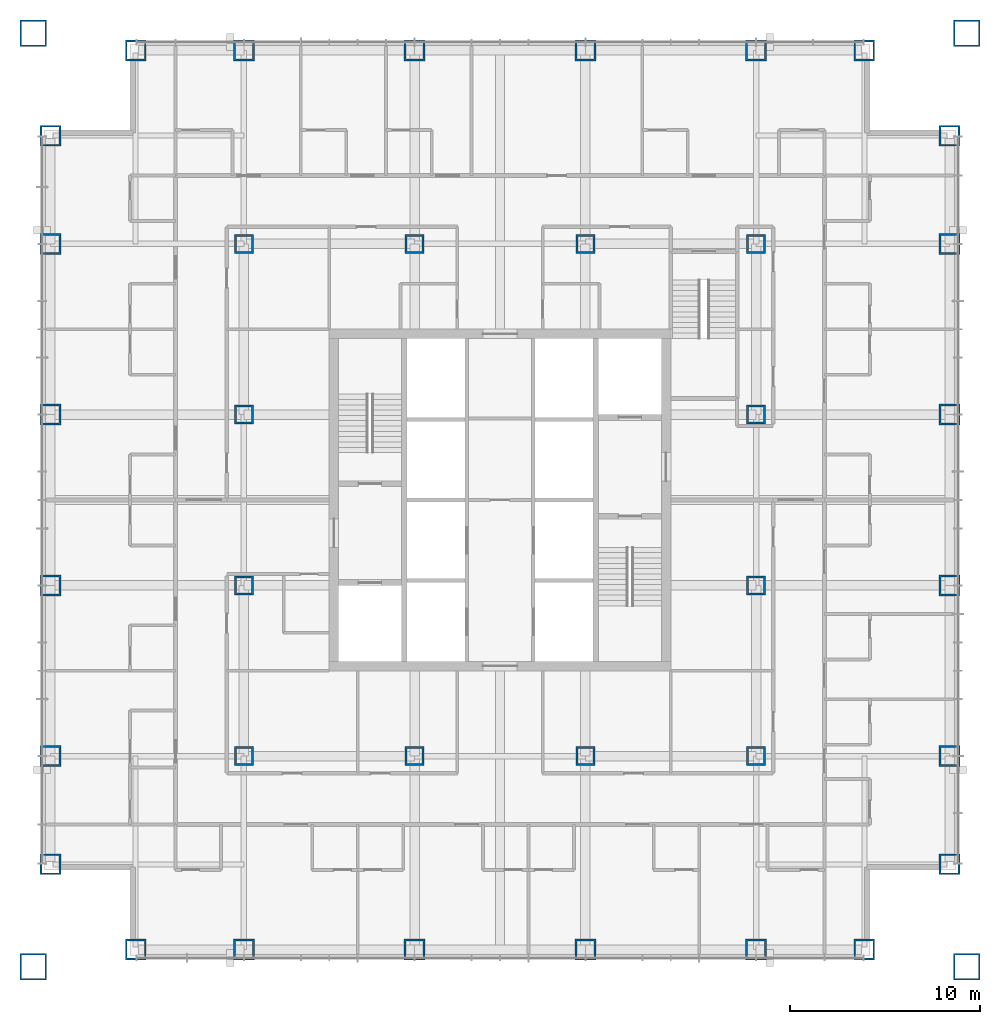
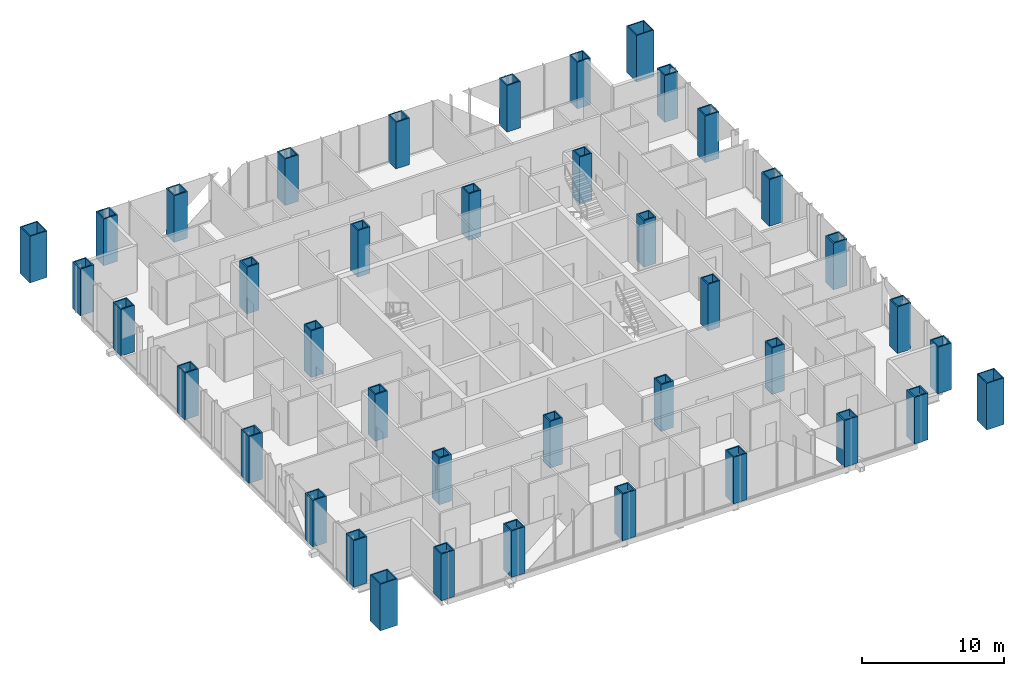
# One storey, part 1 of 16: 40 columns.
"""IFC4 building model written with IfcOpenShell, lengths in metres."""

from ifc_helpers import new_model, si_unit, direction, frame, origin, origin_2d, place, context, subcontext, project, spatial, hollow_rectangle, extrude, material, material_profile, profile_set, type_object, element, save


model = new_model("IFC4")

# Units and contexts
model_context = context("Model", 3, precision=1e-05, world=origin(), true_north=direction((0.0, 1.0)))
body_context = subcontext(model_context, "Body", "Model", "MODEL_VIEW")
ifc_project = project(units=[si_unit("LENGTHUNIT", "METRE"), si_unit("AREAUNIT", "SQUARE_METRE"), si_unit("VOLUMEUNIT", "CUBIC_METRE"), si_unit("PLANEANGLEUNIT", "RADIAN"), si_unit("MASSUNIT", "GRAM", prefix="KILO")], contexts=[model_context])

# Site, building, storey
site_placement = place(None, origin())
site = spatial("IfcSite", under=ifc_project, at=site_placement, CompositionType="ELEMENT")
building_placement = place(site_placement, origin())
building = spatial("IfcBuilding", under=site, at=building_placement, Name="Malebo Sky Hospital", CompositionType="ELEMENT")
storey_placement = place(building_placement, frame((0.0, 0.0, 108.0)))
storey = spatial("IfcBuildingStorey", under=building, at=storey_placement, Name="L25", CompositionType="ELEMENT", Elevation=108.0)

# Columns
ifc_material = material(Name="Steel S460", Category="steel")
ifc_material_profile_1 = material_profile(ifc_material, hollow_rectangle(XDim=1.0, YDim=1.0, WallThickness=0.10009765625, at=origin_2d()), Name="BOX 1000x1000x100")
ifc_profile_set_1 = profile_set([ifc_material_profile_1], Name="Steel S460")
column_type_1 = type_object("IfcColumnType", Name="INNER COLUMN BOX 1000x1000x100", PredefinedType="COLUMN", material=ifc_profile_set_1)
for number, where, z_axis, x_axis, name in (
    (1, (46.5, 48.5, 0.0), (0.0, 0.0, 1.0), (1.0, 0.0, 0.0), "Column IC9 L25"),
    (2, (73.5, 48.5, 0.0), (0.0, 0.0, 1.0), (1.0, 0.0, 0.0), "Column IC9 L25"),
    (3, (73.5, 75.5, 0.0), (0.0, 0.0, 1.0), (1.0, 0.0, 0.0), "Column IC9 L25"),
    (4, (46.5, 75.5, 0.0), (0.0, 0.0, 1.0), (1.0, 0.0, 0.0), "Column IC9 L25"),
    (5, (55.5, 48.5, 0.0), (0.0, 0.0, 1.0), (1.0, 0.0, 0.0), "Column IC9 L25"),
    (6, (64.5, 48.5, 0.0), (0.0, 0.0, 1.0), (1.0, 0.0, 0.0), "Column IC9 L25"),
    (7, (55.5, 75.5, 0.0), (0.0, 0.0, 1.0), (1.0, 0.0, 0.0), "Column IC9 L25"),
    (8, (64.5, 75.5, 0.0), (0.0, 0.0, 1.0), (1.0, 0.0, 0.0), "Column IC9 L25"),
    (9, (46.5, 57.5, 0.0), (0.0, 0.0, 1.0), (1.0, 0.0, 0.0), "Column IC9 L25"),
    (10, (46.5, 66.5, 0.0), (0.0, 0.0, 1.0), (1.0, 0.0, 0.0), "Column IC9 L25"),
    (11, (73.5, 57.5, 0.0), (0.0, 0.0, 1.0), (1.0, 0.0, 0.0), "Column IC9 L25"),
    (12, (73.5, 66.5, 0.0), (0.0, 0.0, 1.0), (1.0, 0.0, 0.0), "Column IC9 L25"),
):
    element("IfcColumn", number, at=place(storey_placement, frame(where, z_axis=z_axis, x_axis=x_axis)), inside=storey, type_object=column_type_1, Name=name, PredefinedType="COLUMN", context=body_context, shape_type="SweptSolid", body=[
        extrude(hollow_rectangle(XDim=1.0, YDim=1.0, WallThickness=0.10009765625, at=origin_2d()), origin(), (0.0, 0.0, 1.0), 4.0),
    ])
ifc_material_profile_2 = material_profile(ifc_material, hollow_rectangle(XDim=1.39990234375, YDim=1.39990234375, WallThickness=0.080078125, at=origin_2d()), Name="BOX 1400x1400x80")
ifc_profile_set_2 = profile_set([ifc_material_profile_2], Name="Steel S460")
column_type_2 = type_object("IfcColumnType", Name="MEGA COLUMN BOX 1400x1400x80", PredefinedType="COLUMN", material=ifc_profile_set_2)
for number, where, z_axis, x_axis, name in (
    (13, (35.39990234375, 37.39990234375, 0.0), (0.0, 0.0, 1.0), (1.0, 0.0, 0.0), "Mega column SW L25"),
    (14, (84.60009765625, 37.39990234375, 0.0), (0.0, 0.0, 1.0), (1.0, 0.0, 0.0), "Mega column SE L25"),
    (15, (84.60009765625, 86.60009765625, 0.0), (0.0, 0.0, 1.0), (1.0, 0.0, 0.0), "Mega column NE L25"),
    (16, (35.39990234375, 86.60009765625, 0.0), (0.0, 0.0, 1.0), (1.0, 0.0, 0.0), "Mega column NW L25"),
):
    element("IfcColumn", number, at=place(storey_placement, frame(where, z_axis=z_axis, x_axis=x_axis)), inside=storey, type_object=column_type_2, Name=name, PredefinedType="COLUMN", context=body_context, shape_type="SweptSolid", body=[
        extrude(hollow_rectangle(XDim=1.39990234375, YDim=1.39990234375, WallThickness=0.080078125, at=origin_2d()), origin(), (0.0, 0.0, 1.0), 4.0),
    ])
ifc_material_profile_3 = material_profile(ifc_material, hollow_rectangle(XDim=1.10009765625, YDim=1.10009765625, WallThickness=0.10009765625, at=origin_2d()), Name="BOX 1100x1100x100")
ifc_profile_set_3 = profile_set([ifc_material_profile_3], Name="Steel S460")
column_type_3 = type_object("IfcColumnType", Name="PERIMETER COLUMN BOX 1100x1100x100", PredefinedType="COLUMN", material=ifc_profile_set_3)
for number, where, z_axis, x_axis, name in (
    (17, (40.800048828125, 38.300048828125, 0.0), (0.0, 0.0, 1.0), (1.0, 0.0, 0.0), "Column PC10 L25"),
    (18, (40.800048828125, 85.699951171875, 0.0), (0.0, 0.0, 1.0), (1.0, 0.0, 0.0), "Column PC10 L25"),
    (19, (36.300048828125, 42.800048828125, 0.0), (0.0, 0.0, 1.0), (1.0, 0.0, 0.0), "Column PC10 L25"),
    (20, (83.699951171875, 42.800048828125, 0.0), (0.0, 0.0, 1.0), (1.0, 0.0, 0.0), "Column PC10 L25"),
    (21, (46.5, 38.300048828125, 0.0), (0.0, 0.0, 1.0), (1.0, 0.0, 0.0), "Column PC10 L25"),
    (22, (46.5, 85.699951171875, 0.0), (0.0, 0.0, 1.0), (1.0, 0.0, 0.0), "Column PC10 L25"),
    (23, (36.300048828125, 48.5, 0.0), (0.0, 0.0, 1.0), (1.0, 0.0, 0.0), "Column PC10 L25"),
    (24, (83.699951171875, 48.5, 0.0), (0.0, 0.0, 1.0), (1.0, 0.0, 0.0), "Column PC10 L25"),
    (25, (55.5, 38.300048828125, 0.0), (0.0, 0.0, 1.0), (1.0, 0.0, 0.0), "Column PC10 L25"),
    (26, (55.5, 85.699951171875, 0.0), (0.0, 0.0, 1.0), (1.0, 0.0, 0.0), "Column PC10 L25"),
    (27, (36.300048828125, 57.5, 0.0), (0.0, 0.0, 1.0), (1.0, 0.0, 0.0), "Column PC10 L25"),
    (28, (83.699951171875, 57.5, 0.0), (0.0, 0.0, 1.0), (1.0, 0.0, 0.0), "Column PC10 L25"),
    (29, (64.5, 38.300048828125, 0.0), (0.0, 0.0, 1.0), (1.0, 0.0, 0.0), "Column PC10 L25"),
    (30, (64.5, 85.699951171875, 0.0), (0.0, 0.0, 1.0), (1.0, 0.0, 0.0), "Column PC10 L25"),
    (31, (36.300048828125, 66.5, 0.0), (0.0, 0.0, 1.0), (1.0, 0.0, 0.0), "Column PC10 L25"),
    (32, (83.699951171875, 66.5, 0.0), (0.0, 0.0, 1.0), (1.0, 0.0, 0.0), "Column PC10 L25"),
    (33, (73.5, 38.300048828125, 0.0), (0.0, 0.0, 1.0), (1.0, 0.0, 0.0), "Column PC10 L25"),
    (34, (73.5, 85.699951171875, 0.0), (0.0, 0.0, 1.0), (1.0, 0.0, 0.0), "Column PC10 L25"),
    (35, (36.300048828125, 75.5, 0.0), (0.0, 0.0, 1.0), (1.0, 0.0, 0.0), "Column PC10 L25"),
    (36, (83.699951171875, 75.5, 0.0), (0.0, 0.0, 1.0), (1.0, 0.0, 0.0), "Column PC10 L25"),
    (37, (79.199951171875, 38.300048828125, 0.0), (0.0, 0.0, 1.0), (1.0, 0.0, 0.0), "Column PC10 L25"),
    (38, (79.199951171875, 85.699951171875, 0.0), (0.0, 0.0, 1.0), (1.0, 0.0, 0.0), "Column PC10 L25"),
    (39, (36.300048828125, 81.199951171875, 0.0), (0.0, 0.0, 1.0), (1.0, 0.0, 0.0), "Column PC10 L25"),
    (40, (83.699951171875, 81.199951171875, 0.0), (0.0, 0.0, 1.0), (1.0, 0.0, 0.0), "Column PC10 L25"),
):
    element("IfcColumn", number, at=place(storey_placement, frame(where, z_axis=z_axis, x_axis=x_axis)), inside=storey, type_object=column_type_3, Name=name, PredefinedType="COLUMN", context=body_context, shape_type="SweptSolid", body=[
        extrude(hollow_rectangle(XDim=1.10009765625, YDim=1.10009765625, WallThickness=0.10009765625, at=origin_2d()), origin(), (0.0, 0.0, 1.0), 4.0),
    ])

save(model, "model.ifc")
